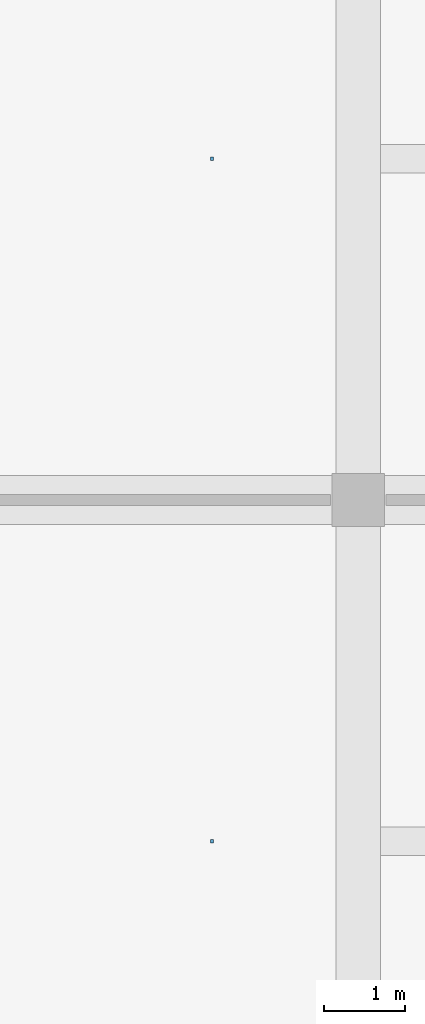
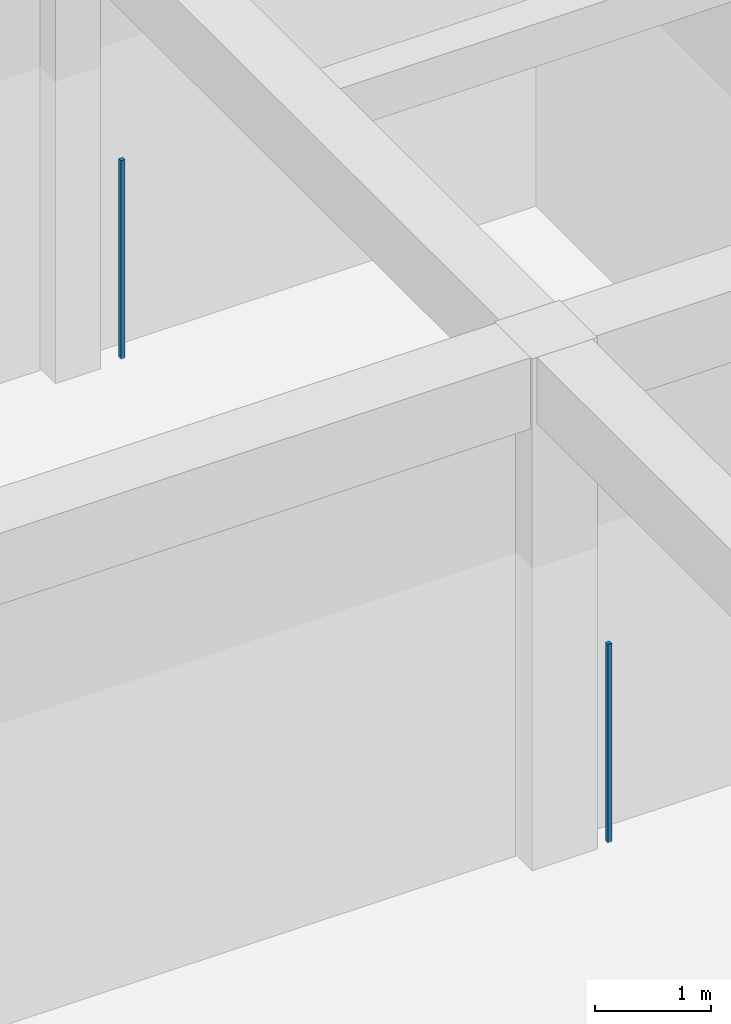
# One storey, part 86 of 167: 2 discrete accessories.
"""IFC4 building model written with IfcOpenShell, lengths in metres."""

from ifc_helpers import new_model, si_unit, direction, frame, origin, origin_2d, place, context, subcontext, project, spatial, rectangle, extrude, material, type_object, element, save


model = new_model("IFC4")

# Units and contexts
model_context = context("Model", 3, precision=1e-05, world=origin(), true_north=direction((0.0, 1.0)))
body_context = subcontext(model_context, "Body", "Model", "MODEL_VIEW")
ifc_project = project(units=[si_unit("LENGTHUNIT", "METRE"), si_unit("AREAUNIT", "SQUARE_METRE"), si_unit("VOLUMEUNIT", "CUBIC_METRE"), si_unit("PLANEANGLEUNIT", "RADIAN"), si_unit("MASSUNIT", "GRAM", prefix="KILO")], contexts=[model_context])

# Site, building, storey
site_placement = place(None, origin())
site = spatial("IfcSite", under=ifc_project, at=site_placement, CompositionType="ELEMENT")
building_placement = place(site_placement, origin())
building = spatial("IfcBuilding", under=site, at=building_placement, Name="Varncliffe General Hospital", CompositionType="ELEMENT")
storey_placement = place(building_placement, origin())
storey = spatial("IfcBuildingStorey", under=building, at=storey_placement, Name="L00", CompositionType="ELEMENT", Elevation=0.0)

# Discrete accessories
ifc_material = material(Name="Powder-coated hospital steel guardrail and handrail", Category="steel")
discrete_accessory_type = type_object("IfcDiscreteAccessoryType", Name="Suspended Ceiling Hanger Bracket CH01", PredefinedType="BRACKET", material=ifc_material)
for number, where, z_axis, x_axis, name in (
    (1, (6.60009765625, 36.60009765625, 3.18994140625), (0.0, 0.0, 1.0), (1.0, 0.0, 0.0), "L00 Suspended Ceiling Hanger 23"),
    (2, (6.60009765625, 45.0, 3.18994140625), (0.0, 0.0, 1.0), (1.0, 0.0, 0.0), "L00 Suspended Ceiling Hanger 27"),
):
    element("IfcDiscreteAccessory", number, at=place(storey_placement, frame(where, z_axis=z_axis, x_axis=x_axis)), inside=storey, type_object=discrete_accessory_type, Name=name, PredefinedType="BRACKET", context=body_context, shape_type="SweptSolid", body=[
        extrude(rectangle(XDim=0.0400390625, YDim=0.0400390625, at=origin_2d()), origin(), (0.0, 0.0, 1.0), 2.090087890625),
    ])

save(model, "model.ifc")
